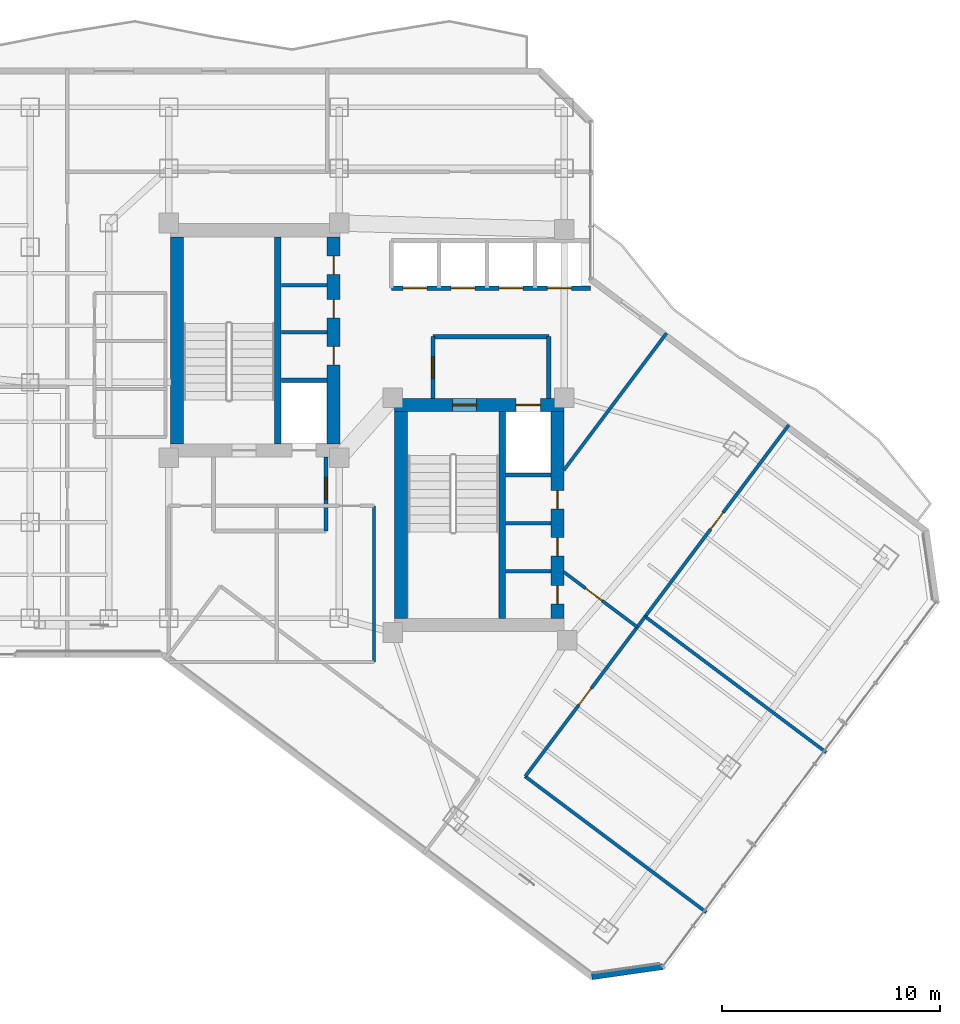
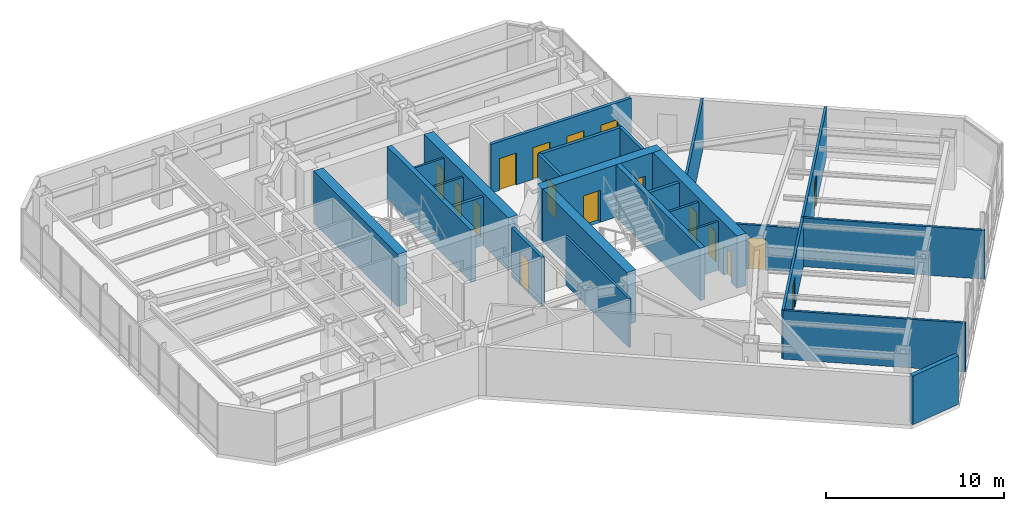
# One storey, part 23 of 28: 26 walls, 17 doors, 17 openings.
"""IFC4 building model written with IfcOpenShell, lengths in metres."""

from ifc_helpers import new_model, si_unit, direction, frame, frame_2d, origin, place, context, subcontext, project, spatial, rectangle, extrude, material, layer, layer_set, type_object, element, fill, save


model = new_model("IFC4")

# Units and contexts
model_context = context("Model", 3, precision=1e-05, world=origin(), true_north=direction((0.0, 1.0)))
body_context = subcontext(model_context, "Body", "Model", "MODEL_VIEW")
ifc_project = project(units=[si_unit("LENGTHUNIT", "METRE"), si_unit("AREAUNIT", "SQUARE_METRE"), si_unit("VOLUMEUNIT", "CUBIC_METRE"), si_unit("PLANEANGLEUNIT", "RADIAN"), si_unit("MASSUNIT", "GRAM", prefix="KILO")], contexts=[model_context])

# Site, building, storey
site_placement = place(None, origin())
site = spatial("IfcSite", under=ifc_project, at=site_placement, CompositionType="ELEMENT")
building_placement = place(site_placement, origin())
building = spatial("IfcBuilding", under=site, at=building_placement, Name="Hatsunagi Terrace Concourse", CompositionType="ELEMENT")
storey_placement = place(building_placement, frame((0.0, 0.0, 138.449951171875)))
storey = spatial("IfcBuildingStorey", under=building, at=storey_placement, Name="L36", CompositionType="ELEMENT", Elevation=138.449951171875)

# Wall
ifc_material_1 = material(Name="Concrete Fc48", Category="concrete")
ifc_layer_1 = layer(ifc_material_1, 0.60009765625)
ifc_layer_set_1 = layer_set([ifc_layer_1], Name="CoreShearWall_Fc48_600")
wall_type_1 = type_object("IfcWallType", Name="CoreShearWall_Fc48_600", PredefinedType="SHEAR", material=ifc_layer_set_1)
wall_1_placement = place(storey_placement, frame((25.919921875, 33.18994140625, 0.0), z_axis=(0.0, 0.0, 1.0), x_axis=(0.0, 1.0, 0.0)))
element("IfcWall", 1, at=wall_1_placement, inside=storey, type_object=wall_type_1, Name="Core A Shear Wall W L36", PredefinedType="SHEAR", context=body_context, shape_type="SweptSolid", body=[
    extrude(rectangle(XDim=9.47998046875, YDim=0.60009765625, at=frame_2d((4.739990234375, 0.0))), origin(), (0.0, 0.0, 1.0), 3.60009765625),
])

# Wall, openings, doors
wall_2_placement = place(storey_placement, frame((33.10009765625, 33.18994140625, 0.0), z_axis=(0.0, 0.0, 1.0), x_axis=(0.0, 1.0, 0.0)))
wall_2 = element("IfcWall", 2, at=wall_2_placement, inside=storey, type_object=wall_type_1, Name="Core A Shear Wall E L36", PredefinedType="SHEAR", context=body_context, shape_type="SweptSolid", body=[
    extrude(rectangle(XDim=9.47998046875, YDim=0.60009765625, at=frame_2d((4.739990234375, 0.0))), origin(), (0.0, 0.0, 1.0), 3.60009765625),
])
opening_1_placement = place(wall_2_placement, frame((3.610107421875, 0.0, 0.0)))
opening_1 = element("IfcOpeningElement", 3, at=opening_1_placement, cuts=wall_2, Name="Opening DR-085", PredefinedType="OPENING", context=body_context, shape_type="SweptSolid", body=[
    extrude(rectangle(XDim=0.85009765625, YDim=2.080078125, at=frame_2d((0.425048828125, 1.0400390625))), frame((0.0, 0.31005859375, 0.0), z_axis=(0.0, -1.0, 0.0), x_axis=(1.0, 0.0, 0.0)), (0.0, 0.0, 1.0), 0.6201171875),
])
opening_2_placement = place(wall_2_placement, frame((5.760009765625, 0.0, 0.0)))
opening_2 = element("IfcOpeningElement", 4, at=opening_2_placement, cuts=wall_2, Name="Opening DR-085", PredefinedType="OPENING", context=body_context, shape_type="SweptSolid", body=[
    extrude(rectangle(XDim=0.85009765625, YDim=2.080078125, at=frame_2d((0.425048828125, 1.0400390625))), frame((0.0, 0.31005859375, 0.0), z_axis=(0.0, -1.0, 0.0), x_axis=(1.0, 0.0, 0.0)), (0.0, 0.0, 1.0), 0.6201171875),
])
opening_3_placement = place(wall_2_placement, frame((7.760009765625, 0.0, 0.0)))
opening_3 = element("IfcOpeningElement", 5, at=opening_3_placement, cuts=wall_2, Name="Opening DR-085", PredefinedType="OPENING", context=body_context, shape_type="SweptSolid", body=[
    extrude(rectangle(XDim=0.85009765625, YDim=2.080078125, at=frame_2d((0.425048828125, 1.0400390625))), frame((0.0, 0.31005859375, 0.0), z_axis=(0.0, -1.0, 0.0), x_axis=(1.0, 0.0, 0.0)), (0.0, 0.0, 1.0), 0.6201171875),
])
ifc_material_2 = material(Name="Painted steel", Category="steel")
door_type_1 = type_object("IfcDoorType", Name="RiserAccessDoor_EI60_850", OperationType="NOTDEFINED", PredefinedType="DOOR", material=ifc_material_2)
door_1_placement = place(opening_1_placement, origin())
door_1 = element("IfcDoor", 6, at=door_1_placement, inside=storey, type_object=door_type_1, Name="Core A Riser Door L36-1", OperationType="SINGLE_SWING_LEFT", OverallHeight=2.080078125, OverallWidth=0.85009765625, PredefinedType="DOOR", context=body_context, shape_type="SweptSolid", body=[
    extrude(rectangle(XDim=0.85009765625, YDim=2.080078125, at=frame_2d((0.425048828125, 1.0400390625))), frame((0.0, 0.02490234375, 0.0), z_axis=(0.0, -1.0, 0.0), x_axis=(1.0, 0.0, 0.0)), (0.0, 0.0, 1.0), 0.050048828125),
])
fill(opening_1, door_1)
door_2_placement = place(opening_2_placement, origin())
door_2 = element("IfcDoor", 7, at=door_2_placement, inside=storey, type_object=door_type_1, Name="Core A Riser Door L36-2", OperationType="SINGLE_SWING_LEFT", OverallHeight=2.080078125, OverallWidth=0.85009765625, PredefinedType="DOOR", context=body_context, shape_type="SweptSolid", body=[
    extrude(rectangle(XDim=0.85009765625, YDim=2.080078125, at=frame_2d((0.425048828125, 1.0400390625))), frame((0.0, 0.02490234375, 0.0), z_axis=(0.0, -1.0, 0.0), x_axis=(1.0, 0.0, 0.0)), (0.0, 0.0, 1.0), 0.050048828125),
])
fill(opening_2, door_2)
door_3_placement = place(opening_3_placement, origin())
door_3 = element("IfcDoor", 8, at=door_3_placement, inside=storey, type_object=door_type_1, Name="Core A Riser Door L36-3", OperationType="SINGLE_SWING_LEFT", OverallHeight=2.080078125, OverallWidth=0.85009765625, PredefinedType="DOOR", context=body_context, shape_type="SweptSolid", body=[
    extrude(rectangle(XDim=0.85009765625, YDim=2.080078125, at=frame_2d((0.425048828125, 1.0400390625))), frame((0.0, 0.02490234375, 0.0), z_axis=(0.0, -1.0, 0.0), x_axis=(1.0, 0.0, 0.0)), (0.0, 0.0, 1.0), 0.050048828125),
])
fill(opening_3, door_3)

wall_3_placement = place(storey_placement, frame((35.889892578125, 34.969970703125, 0.0), z_axis=(0.0, 0.0, 1.0), x_axis=(1.0, 0.0, 0.0)))
wall_3 = element("IfcWall", 9, at=wall_3_placement, inside=storey, type_object=wall_type_1, Name="Core B Shear Wall N L36", PredefinedType="SHEAR", context=body_context, shape_type="SweptSolid", body=[
    extrude(rectangle(XDim=7.760009765625, YDim=0.60009765625, at=frame_2d((3.8798828125, 0.0))), origin(), (0.0, 0.0, 1.0), 3.60009765625),
])
opening_4_placement = place(wall_3_placement, frame((2.659912109375, 0.0, 0.0)))
opening_4 = element("IfcOpeningElement", 10, at=opening_4_placement, cuts=wall_3, Name="Opening DR-110S", PredefinedType="OPENING", context=body_context, shape_type="SweptSolid", body=[
    extrude(rectangle(XDim=1.10009765625, YDim=2.199951171875, at=frame_2d((0.550048828125, 1.10009765625))), frame((0.0, 0.31005859375, 0.0), z_axis=(0.0, -1.0, 0.0), x_axis=(1.0, 0.0, 0.0)), (0.0, 0.0, 1.0), 0.6201171875),
])
opening_5_placement = place(wall_3_placement, frame((5.56005859375, 0.0, 0.0)))
opening_5 = element("IfcOpeningElement", 11, at=opening_5_placement, cuts=wall_3, Name="Opening LD-02", PredefinedType="OPENING", context=body_context, shape_type="SweptSolid", body=[
    extrude(rectangle(XDim=1.1201171875, YDim=2.14990234375, at=frame_2d((0.56005859375, 1.074951171875))), frame((0.0, 0.31005859375, 0.0), z_axis=(0.0, -1.0, 0.0), x_axis=(1.0, 0.0, 0.0)), (0.0, 0.0, 1.0), 0.6201171875),
])
ifc_material_3 = material(Name="Stainless steel", Category="steel")
door_type_2 = type_object("IfcDoorType", Name="LiftLandingDoor_LD02", OperationType="SLIDING_TO_RIGHT", PredefinedType="USERDEFINED", material=ifc_material_3)
door_4_placement = place(opening_5_placement, origin())
door_4 = element("IfcDoor", 12, at=door_4_placement, inside=storey, type_object=door_type_2, Name="Lift landing door FF-02 L36", ObjectType="SLIDING_LANDING_DOOR", OperationType="SLIDING_TO_RIGHT", OverallHeight=2.14990234375, OverallWidth=1.1201171875, PredefinedType="USERDEFINED", context=body_context, shape_type="SweptSolid", body=[
    extrude(rectangle(XDim=1.1201171875, YDim=2.14990234375, at=frame_2d((0.56005859375, 1.074951171875))), frame((0.0, 0.02490234375, 0.0), z_axis=(0.0, -1.0, 0.0), x_axis=(1.0, 0.0, 0.0)), (0.0, 0.0, 1.0), 0.050048828125),
])
fill(opening_5, door_4)
ifc_material_4 = material(Name="Painted steel", Category="steel")
door_type_3 = type_object("IfcDoorType", Name="StairFireDoor_EI60_1100", OperationType="NOTDEFINED", PredefinedType="DOOR", material=ifc_material_4)
door_5_placement = place(opening_4_placement, origin())
door_5 = element("IfcDoor", 13, at=door_5_placement, inside=storey, type_object=door_type_3, Name="Stair ST-B Exit Door L36", OperationType="SINGLE_SWING_RIGHT", OverallHeight=2.199951171875, OverallWidth=1.10009765625, PredefinedType="DOOR", context=body_context, shape_type="SweptSolid", body=[
    extrude(rectangle(XDim=1.10009765625, YDim=2.199951171875, at=frame_2d((0.550048828125, 1.10009765625))), frame((0.0, 0.02490234375, 0.0), z_axis=(0.0, -1.0, 0.0), x_axis=(1.0, 0.0, 0.0)), (0.0, 0.0, 1.0), 0.050048828125),
])
fill(opening_4, door_5)

# Wall
wall_4_placement = place(storey_placement, frame((36.18994140625, 25.18994140625, 0.0), z_axis=(0.0, 0.0, 1.0), x_axis=(0.0, 1.0, 0.0)))
element("IfcWall", 14, at=wall_4_placement, inside=storey, type_object=wall_type_1, Name="Core B Shear Wall W L36", PredefinedType="SHEAR", context=body_context, shape_type="SweptSolid", body=[
    extrude(rectangle(XDim=9.47998046875, YDim=0.60009765625, at=frame_2d((4.739990234375, 0.0))), origin(), (0.0, 0.0, 1.0), 3.60009765625),
])

# Wall, openings, doors
wall_5_placement = place(storey_placement, frame((43.35009765625, 25.18994140625, 0.0), z_axis=(0.0, 0.0, 1.0), x_axis=(0.0, 1.0, 0.0)))
wall_5 = element("IfcWall", 15, at=wall_5_placement, inside=storey, type_object=wall_type_1, Name="Core B Shear Wall E L36", PredefinedType="SHEAR", context=body_context, shape_type="SweptSolid", body=[
    extrude(rectangle(XDim=9.47998046875, YDim=0.60009765625, at=frame_2d((4.739990234375, 0.0))), origin(), (0.0, 0.0, 1.0), 3.60009765625),
])
opening_6_placement = place(wall_5_placement, frame((0.659912109375, 0.0, 0.0)))
opening_6 = element("IfcOpeningElement", 16, at=opening_6_placement, cuts=wall_5, Name="Opening DR-085", PredefinedType="OPENING", context=body_context, shape_type="SweptSolid", body=[
    extrude(rectangle(XDim=0.85009765625, YDim=2.080078125, at=frame_2d((0.425048828125, 1.0400390625))), frame((0.0, 0.31005859375, 0.0), z_axis=(0.0, -1.0, 0.0), x_axis=(1.0, 0.0, 0.0)), (0.0, 0.0, 1.0), 0.6201171875),
])
opening_7_placement = place(wall_5_placement, frame((2.860107421875, 0.0, 0.0)))
opening_7 = element("IfcOpeningElement", 17, at=opening_7_placement, cuts=wall_5, Name="Opening DR-085", PredefinedType="OPENING", context=body_context, shape_type="SweptSolid", body=[
    extrude(rectangle(XDim=0.85009765625, YDim=2.080078125, at=frame_2d((0.425048828125, 1.0400390625))), frame((0.0, 0.31005859375, 0.0), z_axis=(0.0, -1.0, 0.0), x_axis=(1.0, 0.0, 0.0)), (0.0, 0.0, 1.0), 0.6201171875),
])
opening_8_placement = place(wall_5_placement, frame((5.010009765625, 0.0, 0.0)))
opening_8 = element("IfcOpeningElement", 18, at=opening_8_placement, cuts=wall_5, Name="Opening DR-085", PredefinedType="OPENING", context=body_context, shape_type="SweptSolid", body=[
    extrude(rectangle(XDim=0.85009765625, YDim=2.080078125, at=frame_2d((0.425048828125, 1.0400390625))), frame((0.0, 0.31005859375, 0.0), z_axis=(0.0, -1.0, 0.0), x_axis=(1.0, 0.0, 0.0)), (0.0, 0.0, 1.0), 0.6201171875),
])
door_6_placement = place(opening_6_placement, origin())
door_6 = element("IfcDoor", 19, at=door_6_placement, inside=storey, type_object=door_type_1, Name="Core B Riser Door L36-1", OperationType="SINGLE_SWING_RIGHT", OverallHeight=2.080078125, OverallWidth=0.85009765625, PredefinedType="DOOR", context=body_context, shape_type="SweptSolid", body=[
    extrude(rectangle(XDim=0.85009765625, YDim=2.080078125, at=frame_2d((0.425048828125, 1.0400390625))), frame((0.0, 0.02490234375, 0.0), z_axis=(0.0, -1.0, 0.0), x_axis=(1.0, 0.0, 0.0)), (0.0, 0.0, 1.0), 0.050048828125),
])
fill(opening_6, door_6)
door_7_placement = place(opening_7_placement, origin())
door_7 = element("IfcDoor", 20, at=door_7_placement, inside=storey, type_object=door_type_1, Name="Core B Riser Door L36-2", OperationType="SINGLE_SWING_RIGHT", OverallHeight=2.080078125, OverallWidth=0.85009765625, PredefinedType="DOOR", context=body_context, shape_type="SweptSolid", body=[
    extrude(rectangle(XDim=0.85009765625, YDim=2.080078125, at=frame_2d((0.425048828125, 1.0400390625))), frame((0.0, 0.02490234375, 0.0), z_axis=(0.0, -1.0, 0.0), x_axis=(1.0, 0.0, 0.0)), (0.0, 0.0, 1.0), 0.050048828125),
])
fill(opening_7, door_7)
door_8_placement = place(opening_8_placement, origin())
door_8 = element("IfcDoor", 21, at=door_8_placement, inside=storey, type_object=door_type_1, Name="Core B Riser Door L36-3", OperationType="SINGLE_SWING_RIGHT", OverallHeight=2.080078125, OverallWidth=0.85009765625, PredefinedType="DOOR", context=body_context, shape_type="SweptSolid", body=[
    extrude(rectangle(XDim=0.85009765625, YDim=2.080078125, at=frame_2d((0.425048828125, 1.0400390625))), frame((0.0, 0.02490234375, 0.0), z_axis=(0.0, -1.0, 0.0), x_axis=(1.0, 0.0, 0.0)), (0.0, 0.0, 1.0), 0.050048828125),
])
fill(opening_8, door_8)

# Walls
ifc_material_5 = material(Name="Concrete Fc48", Category="concrete")
ifc_layer_2 = layer(ifc_material_5, 0.300048828125)
ifc_layer_set_2 = layer_set([ifc_layer_2], Name="CoreStairDivider_Fc48_300")
wall_type_2 = type_object("IfcWallType", Name="CoreStairDivider_Fc48_300", PredefinedType="SHEAR", material=ifc_layer_set_2)
for number, where, z_axis, x_axis, name in (
    (22, (30.5400390625, 33.18994140625, 0.0), (0.0, 0.0, 1.0), (0.0, 1.0, 0.0), "Core A Shear Wall D L36"),
    (23, (40.81005859375, 25.18994140625, 0.0), (0.0, 0.0, 1.0), (0.0, 1.0, 0.0), "Core B Shear Wall D L36"),
):
    element("IfcWall", number, at=place(storey_placement, frame(where, z_axis=z_axis, x_axis=x_axis)), inside=storey, type_object=wall_type_2, Name=name, PredefinedType="SHEAR", context=body_context, shape_type="SweptSolid", body=[
        extrude(rectangle(XDim=9.47998046875, YDim=0.300048828125, at=frame_2d((4.739990234375, 0.0))), origin(), (0.0, 0.0, 1.0), 3.60009765625),
    ])
ifc_material_6 = material(Name="Acoustic mineral board", Category="gypsum")
ifc_layer_3 = layer(ifc_material_6, 0.14990234375)
ifc_layer_set_3 = layer_set([ifc_layer_3], Name="PartitionWall_EI60_150")
wall_type_3 = type_object("IfcWallType", Name="PartitionWall_EI60_150", PredefinedType="PARTITIONING", material=ifc_layer_set_3)
for number, where, z_axis, x_axis, name in (
    (24, (30.699951171875, 38.300048828125, 0.0), (0.0, 0.0, 1.0), (1.0, 0.0, 0.0), "Interior Partition IW-L36-002"),
    (25, (30.699951171875, 40.449951171875, 0.0), (0.0, 0.0, 1.0), (1.0, 0.0, 0.0), "Interior Partition IW-L36-003"),
):
    element("IfcWall", number, at=place(storey_placement, frame(where, z_axis=z_axis, x_axis=x_axis)), inside=storey, type_object=wall_type_3, Name=name, PredefinedType="PARTITIONING", context=body_context, shape_type="SweptSolid", body=[
        extrude(rectangle(XDim=2.10009765625, YDim=0.14990234375, at=frame_2d((1.050048828125, 0.0))), origin(), (0.0, 0.0, 1.0), 3.35009765625),
    ])
for number, where, z_axis, x_axis, name in (
    (26, (40.969970703125, 27.35009765625, 0.0), (0.0, 0.0, 1.0), (1.0, 0.0, 0.0), "Interior Partition IW-L36-005"),
    (27, (40.969970703125, 29.550048828125, 0.0), (0.0, 0.0, 1.0), (1.0, 0.0, 0.0), "Interior Partition IW-L36-006"),
):
    element("IfcWall", number, at=place(storey_placement, frame(where, z_axis=z_axis, x_axis=x_axis)), inside=storey, type_object=wall_type_3, Name=name, PredefinedType="PARTITIONING", context=body_context, shape_type="SweptSolid", body=[
        extrude(rectangle(XDim=2.080078125, YDim=0.14990234375, at=frame_2d((1.0400390625, 0.0))), origin(), (0.0, 0.0, 1.0), 3.35009765625),
    ])
wall_6_placement = place(storey_placement, frame((34.949951171875, 23.199951171875, 0.0), z_axis=(0.0, 0.0, 1.0), x_axis=(0.0, 1.0, 0.0)))
element("IfcWall", 28, at=wall_6_placement, inside=storey, type_object=wall_type_3, Name="Interior Partition IW-L36-033", PredefinedType="PARTITIONING", context=body_context, shape_type="SweptSolid", body=[
    extrude(rectangle(XDim=7.150146484375, YDim=0.14990234375, at=frame_2d((3.5751953125, 0.0))), origin(), (0.0, 0.0, 1.0), 3.35009765625),
])
for number, where, z_axis, x_axis, name in (
    (29, (41.8701171875, 17.9599609375, 0.0), (0.0, 0.0, 1.0), (0.799991516197, -0.600011311571, 0.0), "Interior Partition IW-L36-040"),
    (30, (47.360107421875, 25.280029296875, 0.0), (0.0, 0.0, 1.0), (0.799991516197, -0.600011311571, 0.0), "Interior Partition IW-L36-041"),
):
    element("IfcWall", number, at=place(storey_placement, frame(where, z_axis=z_axis, x_axis=x_axis)), inside=storey, type_object=wall_type_3, Name=name, PredefinedType="PARTITIONING", context=body_context, shape_type="SweptSolid", body=[
        extrude(rectangle(XDim=10.35986328125, YDim=0.14990234375, at=frame_2d((5.179931640625, 0.0))), origin(), (0.0, 0.0, 1.0), 3.35009765625),
    ])

# Wall, opening, door
wall_7_placement = place(storey_placement, frame((41.8701171875, 17.9599609375, 0.0), z_axis=(0.0, 0.0, 1.0), x_axis=(0.599995730889, 0.800003201816, 0.0)))
wall_7 = element("IfcWall", 31, at=wall_7_placement, inside=storey, type_object=wall_type_3, Name="Interior Partition IW-L36-042", PredefinedType="PARTITIONING", context=body_context, shape_type="SweptSolid", body=[
    extrude(rectangle(XDim=9.150146484375, YDim=0.14990234375, at=frame_2d((4.5751953125, 0.0))), origin(), (0.0, 0.0, 1.0), 3.35009765625),
])
opening_9_placement = place(wall_7_placement, frame((4.10009765625, 0.0, 0.0)))
opening_9 = element("IfcOpeningElement", 32, at=opening_9_placement, cuts=wall_7, Name="Opening DR-095", PredefinedType="OPENING", context=body_context, shape_type="SweptSolid", body=[
    extrude(rectangle(XDim=0.949951171875, YDim=2.14990234375, at=frame_2d((0.47509765625, 1.074951171875))), frame((0.0, 0.0849609375, 0.0), z_axis=(0.0, -1.0, 0.0), x_axis=(1.0, 0.0, 0.0)), (0.0, 0.0, 1.0), 0.169921875),
])
ifc_material_7 = material(Name="Hardwood timber", Category="wood")
door_type_4 = type_object("IfcDoorType", Name="InteriorSuiteDoor_EI30_950", OperationType="NOTDEFINED", PredefinedType="DOOR", material=ifc_material_7)
door_9_placement = place(opening_9_placement, origin())
door_9 = element("IfcDoor", 33, at=door_9_placement, inside=storey, type_object=door_type_4, Name="Research Focus Suite L36-OSE1 Door", OperationType="SINGLE_SWING_RIGHT", OverallHeight=2.14990234375, OverallWidth=0.949951171875, PredefinedType="DOOR", context=body_context, shape_type="SweptSolid", body=[
    extrude(rectangle(XDim=0.949951171875, YDim=2.14990234375, at=frame_2d((0.47509765625, 1.074951171875))), frame((0.0, 0.02490234375, 0.0), z_axis=(0.0, -1.0, 0.0), x_axis=(1.0, 0.0, 0.0)), (0.0, 0.0, 1.0), 0.050048828125),
])
fill(opening_9, door_9)

wall_8_placement = place(storey_placement, frame((47.360107421875, 25.280029296875, 0.0), z_axis=(0.0, 0.0, 1.0), x_axis=(0.599992871789, 0.800005346109, 0.0)))
wall_8 = element("IfcWall", 34, at=wall_8_placement, inside=storey, type_object=wall_type_3, Name="Interior Partition IW-L36-043", PredefinedType="PARTITIONING", context=body_context, shape_type="SweptSolid", body=[
    extrude(rectangle(XDim=10.9599609375, YDim=0.14990234375, at=frame_2d((5.47998046875, 0.0))), origin(), (0.0, 0.0, 1.0), 3.35009765625),
])
opening_10_placement = place(wall_8_placement, frame((5.0048828125, 0.0, 0.0)))
opening_10 = element("IfcOpeningElement", 35, at=opening_10_placement, cuts=wall_8, Name="Opening DR-095", PredefinedType="OPENING", context=body_context, shape_type="SweptSolid", body=[
    extrude(rectangle(XDim=0.949951171875, YDim=2.14990234375, at=frame_2d((0.47509765625, 1.074951171875))), frame((0.0, 0.0849609375, 0.0), z_axis=(0.0, -1.0, 0.0), x_axis=(1.0, 0.0, 0.0)), (0.0, 0.0, 1.0), 0.169921875),
])
door_10_placement = place(opening_10_placement, origin())
door_10 = element("IfcDoor", 36, at=door_10_placement, inside=storey, type_object=door_type_4, Name="Research Focus Suite L36-OSE2 Door", OperationType="SINGLE_SWING_RIGHT", OverallHeight=2.14990234375, OverallWidth=0.949951171875, PredefinedType="DOOR", context=body_context, shape_type="SweptSolid", body=[
    extrude(rectangle(XDim=0.949951171875, YDim=2.14990234375, at=frame_2d((0.47509765625, 1.074951171875))), frame((0.0, 0.02490234375, 0.0), z_axis=(0.0, -1.0, 0.0), x_axis=(1.0, 0.0, 0.0)), (0.0, 0.0, 1.0), 0.050048828125),
])
fill(opening_10, door_10)

wall_9_placement = place(storey_placement, frame((43.6298828125, 27.327880859375, 0.0), z_axis=(0.0, 0.0, 1.0), x_axis=(0.799972182084, -0.600037088764, 0.0)))
wall_9 = element("IfcWall", 37, at=wall_9_placement, inside=storey, type_object=wall_type_3, Name="Interior Partition IW-L36-044", PredefinedType="PARTITIONING", context=body_context, shape_type="SweptSolid", body=[
    extrude(rectangle(XDim=4.212890625, YDim=0.14990234375, at=frame_2d((2.1064453125, 0.0))), origin(), (0.0, 0.0, 1.0), 3.045166015625),
])
opening_11_placement = place(wall_9_placement, frame((1.256103515625, 0.0, 0.0)))
opening_11 = element("IfcOpeningElement", 38, at=opening_11_placement, cuts=wall_9, Name="Opening DR-095", PredefinedType="OPENING", context=body_context, shape_type="SweptSolid", body=[
    extrude(rectangle(XDim=0.949951171875, YDim=2.14990234375, at=frame_2d((0.47509765625, 1.074951171875))), frame((0.0, 0.0849609375, 0.0), z_axis=(0.0, -1.0, 0.0), x_axis=(1.0, 0.0, 0.0)), (0.0, 0.0, 1.0), 0.169921875),
])
door_11_placement = place(opening_11_placement, origin())
door_11 = element("IfcDoor", 39, at=door_11_placement, inside=storey, type_object=door_type_4, Name="Collaboration Lounge L36-OSEN0 Door", OperationType="SINGLE_SWING_LEFT", OverallHeight=2.14990234375, OverallWidth=0.949951171875, PredefinedType="DOOR", context=body_context, shape_type="SweptSolid", body=[
    extrude(rectangle(XDim=0.949951171875, YDim=2.14990234375, at=frame_2d((0.47509765625, 1.074951171875))), frame((0.0, 0.02490234375, 0.0), z_axis=(0.0, -1.0, 0.0), x_axis=(1.0, 0.0, 0.0)), (0.0, 0.0, 1.0), 0.050048828125),
])
fill(opening_11, door_11)

# Walls
wall_10_placement = place(storey_placement, frame((43.6298828125, 31.972900390625, 0.0), z_axis=(0.0, 0.0, 1.0), x_axis=(0.599975099311, 0.800018674911, 0.0)))
element("IfcWall", 40, at=wall_10_placement, inside=storey, type_object=wall_type_3, Name="Interior Partition IW-L36-045", PredefinedType="PARTITIONING", context=body_context, shape_type="SweptSolid", body=[
    extrude(rectangle(XDim=7.84375, YDim=0.14990234375, at=frame_2d((3.921875, 0.0))), origin(), (0.0, 0.0, 1.0), 3.35009765625),
])
ifc_material_8 = material(Name="Acoustic mineral board", Category="gypsum")
ifc_layer_4 = layer(ifc_material_8, 0.199951171875)
ifc_layer_set_4 = layer_set([ifc_layer_4], Name="ShaftWall_EI120_200")
wall_type_4 = type_object("IfcWallType", Name="ShaftWall_EI120_200", PredefinedType="STANDARD", material=ifc_layer_set_4)
wall_11_placement = place(storey_placement, frame((30.699951171875, 36.10009765625, 0.0), z_axis=(0.0, 0.0, 1.0), x_axis=(1.0, 0.0, 0.0)))
element("IfcWall", 41, at=wall_11_placement, inside=storey, type_object=wall_type_4, Name="Interior Partition IW-L36-001", PredefinedType="STANDARD", context=body_context, shape_type="SweptSolid", body=[
    extrude(rectangle(XDim=2.10009765625, YDim=0.199951171875, at=frame_2d((1.050048828125, 0.0))), origin(), (0.0, 0.0, 1.0), 3.35009765625),
])
wall_12_placement = place(storey_placement, frame((40.969970703125, 31.760009765625, 0.0), z_axis=(0.0, 0.0, 1.0), x_axis=(1.0, 0.0, 0.0)))
element("IfcWall", 42, at=wall_12_placement, inside=storey, type_object=wall_type_4, Name="Interior Partition IW-L36-004", PredefinedType="STANDARD", context=body_context, shape_type="SweptSolid", body=[
    extrude(rectangle(XDim=2.080078125, YDim=0.199951171875, at=frame_2d((1.0400390625, 0.0))), origin(), (0.0, 0.0, 1.0), 3.35009765625),
])

# Wall, opening, door
wall_13_placement = place(storey_placement, frame((32.75, 29.199951171875, 0.0), z_axis=(0.0, 0.0, 1.0), x_axis=(0.0, 1.0, 0.0)))
wall_13 = element("IfcWall", 43, at=wall_13_placement, inside=storey, type_object=wall_type_4, Name="Interior Partition IW-L36-009", PredefinedType="STANDARD", context=body_context, shape_type="SweptSolid", body=[
    extrude(rectangle(XDim=3.39013671875, YDim=0.199951171875, at=frame_2d((1.695068359375, 0.0))), origin(), (0.0, 0.0, 1.0), 3.35009765625),
])
opening_12_placement = place(wall_13_placement, frame((1.449951171875, 0.0, 0.0)))
opening_12 = element("IfcOpeningElement", 44, at=opening_12_placement, cuts=wall_13, Name="Opening DR-100F", PredefinedType="OPENING", context=body_context, shape_type="SweptSolid", body=[
    extrude(rectangle(XDim=1.0, YDim=2.199951171875, at=frame_2d((0.5, 1.10009765625))), frame((0.0, 0.10986328125, 0.0), z_axis=(0.0, -1.0, 0.0), x_axis=(1.0, 0.0, 0.0)), (0.0, 0.0, 1.0), 0.219970703125),
])
ifc_material_9 = material(Name="Painted steel", Category="steel")
door_type_5 = type_object("IfcDoorType", Name="FireDoor_EI60_1000", OperationType="NOTDEFINED", PredefinedType="DOOR", material=ifc_material_9)
door_12_placement = place(opening_12_placement, origin())
door_12 = element("IfcDoor", 45, at=door_12_placement, inside=storey, type_object=door_type_5, Name="Firefighting Lobby A Door L36", OperationType="SINGLE_SWING_RIGHT", OverallHeight=2.199951171875, OverallWidth=1.0, PredefinedType="DOOR", context=body_context, shape_type="SweptSolid", body=[
    extrude(rectangle(XDim=1.0, YDim=2.199951171875, at=frame_2d((0.5, 1.10009765625))), frame((0.0, 0.02490234375, 0.0), z_axis=(0.0, -1.0, 0.0), x_axis=(1.0, 0.0, 0.0)), (0.0, 0.0, 1.0), 0.050048828125),
])
fill(opening_12, door_12)

# Walls
wall_14_placement = place(storey_placement, frame((37.64990234375, 38.10009765625, 0.0), z_axis=(0.0, 0.0, 1.0), x_axis=(1.0, 0.0, 0.0)))
element("IfcWall", 46, at=wall_14_placement, inside=storey, type_object=wall_type_4, Name="Interior Partition IW-L36-010", PredefinedType="STANDARD", context=body_context, shape_type="SweptSolid", body=[
    extrude(rectangle(XDim=5.300048828125, YDim=0.199951171875, at=frame_2d((2.64990234375, 0.0))), origin(), (0.0, 0.0, 1.0), 3.35009765625),
])
wall_15_placement = place(storey_placement, frame((42.949951171875, 35.27001953125, 0.0), z_axis=(0.0, 0.0, 1.0), x_axis=(0.0, 1.0, 0.0)))
element("IfcWall", 47, at=wall_15_placement, inside=storey, type_object=wall_type_4, Name="Interior Partition IW-L36-011", PredefinedType="STANDARD", context=body_context, shape_type="SweptSolid", body=[
    extrude(rectangle(XDim=2.830078125, YDim=0.199951171875, at=frame_2d((1.4150390625, 0.0))), origin(), (0.0, 0.0, 1.0), 3.35009765625),
])

# Wall, opening, door
wall_16_placement = place(storey_placement, frame((37.64990234375, 35.27001953125, 0.0), z_axis=(0.0, 0.0, 1.0), x_axis=(0.0, 1.0, 0.0)))
wall_16 = element("IfcWall", 48, at=wall_16_placement, inside=storey, type_object=wall_type_4, Name="Interior Partition IW-L36-012", PredefinedType="STANDARD", context=body_context, shape_type="SweptSolid", body=[
    extrude(rectangle(XDim=2.830078125, YDim=0.199951171875, at=frame_2d((1.4150390625, 0.0))), origin(), (0.0, 0.0, 1.0), 3.35009765625),
])
opening_13_placement = place(wall_16_placement, frame((0.9150390625, 0.0, 0.0)))
opening_13 = element("IfcOpeningElement", 49, at=opening_13_placement, cuts=wall_16, Name="Opening DR-100F", PredefinedType="OPENING", context=body_context, shape_type="SweptSolid", body=[
    extrude(rectangle(XDim=1.0, YDim=2.199951171875, at=frame_2d((0.5, 1.10009765625))), frame((0.0, 0.10986328125, 0.0), z_axis=(0.0, -1.0, 0.0), x_axis=(1.0, 0.0, 0.0)), (0.0, 0.0, 1.0), 0.219970703125),
])
door_13_placement = place(opening_13_placement, origin())
door_13 = element("IfcDoor", 50, at=door_13_placement, inside=storey, type_object=door_type_5, Name="Firefighting Lobby B Door L36", OperationType="SINGLE_SWING_RIGHT", OverallHeight=2.199951171875, OverallWidth=1.0, PredefinedType="DOOR", context=body_context, shape_type="SweptSolid", body=[
    extrude(rectangle(XDim=1.0, YDim=2.199951171875, at=frame_2d((0.5, 1.10009765625))), frame((0.0, 0.02490234375, 0.0), z_axis=(0.0, -1.0, 0.0), x_axis=(1.0, 0.0, 0.0)), (0.0, 0.0, 1.0), 0.050048828125),
])
fill(opening_13, door_13)

# Wall, openings, doors
wall_17_placement = place(storey_placement, frame((35.75, 40.320068359375, 0.0), z_axis=(0.0, 0.0, 1.0), x_axis=(1.0, 0.0, 0.0)))
wall_17 = element("IfcWall", 51, at=wall_17_placement, inside=storey, type_object=wall_type_4, Name="Interior Partition IW-L36-018", PredefinedType="STANDARD", context=body_context, shape_type="SweptSolid", body=[
    extrude(rectangle(XDim=9.110107421875, YDim=0.199951171875, at=frame_2d((4.55517578125, 0.0))), origin(), (0.0, 0.0, 1.0), 3.35009765625),
])
opening_14_placement = place(wall_17_placement, frame((0.530029296875, 0.0, 0.0)))
opening_14 = element("IfcOpeningElement", 52, at=opening_14_placement, cuts=wall_17, Name="Opening LD-04", PredefinedType="OPENING", context=body_context, shape_type="SweptSolid", body=[
    extrude(rectangle(XDim=1.10009765625, YDim=2.179931640625, at=frame_2d((0.550048828125, 1.08984375))), frame((0.0, 0.10986328125, 0.0), z_axis=(0.0, -1.0, 0.0), x_axis=(1.0, 0.0, 0.0)), (0.0, 0.0, 1.0), 0.219970703125),
])
opening_15_placement = place(wall_17_placement, frame((2.72998046875, 0.0, 0.0)))
opening_15 = element("IfcOpeningElement", 53, at=opening_15_placement, cuts=wall_17, Name="Opening LD-04", PredefinedType="OPENING", context=body_context, shape_type="SweptSolid", body=[
    extrude(rectangle(XDim=1.10009765625, YDim=2.179931640625, at=frame_2d((0.550048828125, 1.08984375))), frame((0.0, 0.10986328125, 0.0), z_axis=(0.0, -1.0, 0.0), x_axis=(1.0, 0.0, 0.0)), (0.0, 0.0, 1.0), 0.219970703125),
])
opening_16_placement = place(wall_17_placement, frame((4.929931640625, 0.0, 0.0)))
opening_16 = element("IfcOpeningElement", 54, at=opening_16_placement, cuts=wall_17, Name="Opening LD-04", PredefinedType="OPENING", context=body_context, shape_type="SweptSolid", body=[
    extrude(rectangle(XDim=1.10009765625, YDim=2.179931640625, at=frame_2d((0.550048828125, 1.08984375))), frame((0.0, 0.10986328125, 0.0), z_axis=(0.0, -1.0, 0.0), x_axis=(1.0, 0.0, 0.0)), (0.0, 0.0, 1.0), 0.219970703125),
])
opening_17_placement = place(wall_17_placement, frame((7.1298828125, 0.0, 0.0)))
opening_17 = element("IfcOpeningElement", 55, at=opening_17_placement, cuts=wall_17, Name="Opening LD-04", PredefinedType="OPENING", context=body_context, shape_type="SweptSolid", body=[
    extrude(rectangle(XDim=1.10009765625, YDim=2.179931640625, at=frame_2d((0.550048828125, 1.08984375))), frame((0.0, 0.10986328125, 0.0), z_axis=(0.0, -1.0, 0.0), x_axis=(1.0, 0.0, 0.0)), (0.0, 0.0, 1.0), 0.219970703125),
])
ifc_material_10 = material(Name="Stainless steel", Category="steel")
door_type_6 = type_object("IfcDoorType", Name="LiftLandingDoor_LD04", OperationType="SLIDING_TO_RIGHT", PredefinedType="USERDEFINED", material=ifc_material_10)
door_14_placement = place(opening_14_placement, origin())
door_14 = element("IfcDoor", 56, at=door_14_placement, inside=storey, type_object=door_type_6, Name="Lift landing door PL-05 L36", ObjectType="SLIDING_LANDING_DOOR", OperationType="SLIDING_TO_RIGHT", OverallHeight=2.179931640625, OverallWidth=1.10009765625, PredefinedType="USERDEFINED", context=body_context, shape_type="SweptSolid", body=[
    extrude(rectangle(XDim=1.10009765625, YDim=2.179931640625, at=frame_2d((0.550048828125, 1.08984375))), frame((0.0, 0.02490234375, 0.0), z_axis=(0.0, -1.0, 0.0), x_axis=(1.0, 0.0, 0.0)), (0.0, 0.0, 1.0), 0.050048828125),
])
fill(opening_14, door_14)
door_15_placement = place(opening_15_placement, origin())
door_15 = element("IfcDoor", 57, at=door_15_placement, inside=storey, type_object=door_type_6, Name="Lift landing door PL-06 L36", ObjectType="SLIDING_LANDING_DOOR", OperationType="SLIDING_TO_RIGHT", OverallHeight=2.179931640625, OverallWidth=1.10009765625, PredefinedType="USERDEFINED", context=body_context, shape_type="SweptSolid", body=[
    extrude(rectangle(XDim=1.10009765625, YDim=2.179931640625, at=frame_2d((0.550048828125, 1.08984375))), frame((0.0, 0.02490234375, 0.0), z_axis=(0.0, -1.0, 0.0), x_axis=(1.0, 0.0, 0.0)), (0.0, 0.0, 1.0), 0.050048828125),
])
fill(opening_15, door_15)
door_16_placement = place(opening_16_placement, origin())
door_16 = element("IfcDoor", 58, at=door_16_placement, inside=storey, type_object=door_type_6, Name="Lift landing door PL-07 L36", ObjectType="SLIDING_LANDING_DOOR", OperationType="SLIDING_TO_RIGHT", OverallHeight=2.179931640625, OverallWidth=1.10009765625, PredefinedType="USERDEFINED", context=body_context, shape_type="SweptSolid", body=[
    extrude(rectangle(XDim=1.10009765625, YDim=2.179931640625, at=frame_2d((0.550048828125, 1.08984375))), frame((0.0, 0.02490234375, 0.0), z_axis=(0.0, -1.0, 0.0), x_axis=(1.0, 0.0, 0.0)), (0.0, 0.0, 1.0), 0.050048828125),
])
fill(opening_16, door_16)
door_17_placement = place(opening_17_placement, origin())
door_17 = element("IfcDoor", 59, at=door_17_placement, inside=storey, type_object=door_type_6, Name="Lift landing door PL-08 L36", ObjectType="SLIDING_LANDING_DOOR", OperationType="SLIDING_TO_RIGHT", OverallHeight=2.179931640625, OverallWidth=1.10009765625, PredefinedType="USERDEFINED", context=body_context, shape_type="SweptSolid", body=[
    extrude(rectangle(XDim=1.10009765625, YDim=2.179931640625, at=frame_2d((0.550048828125, 1.08984375))), frame((0.0, 0.02490234375, 0.0), z_axis=(0.0, -1.0, 0.0), x_axis=(1.0, 0.0, 0.0)), (0.0, 0.0, 1.0), 0.050048828125),
])
fill(opening_17, door_17)

# Wall
ifc_material_11 = material(Name="Autoclaved Lightweight Concrete and Terracotta Cladding", Category="masonry")
ifc_layer_5 = layer(ifc_material_11, 0.280029296875)
ifc_layer_set_5 = layer_set([ifc_layer_5], Name="TerracottaSpandrelWall_280")
wall_type_5 = type_object("IfcWallType", Name="TerracottaSpandrelWall_280", PredefinedType="STANDARD", material=ifc_layer_set_5)
wall_18_placement = place(storey_placement, frame((48.1630859375, 9.25, 0.0), z_axis=(0.0, 0.0, 1.0), x_axis=(-0.989979263428, -0.141212810973, 0.0)))
element("IfcWall", 60, at=wall_18_placement, inside=storey, type_object=wall_type_5, Name="Exterior Spandrel Wall EW-L36-04", PredefinedType="STANDARD", context=body_context, shape_type="SweptSolid", body=[
    extrude(rectangle(XDim=3.278076171875, YDim=0.280029296875, at=frame_2d((1.63916015625, 0.0))), origin(), (0.0, 0.0, 1.0), 3.35009765625),
])

save(model, "model.ifc")
